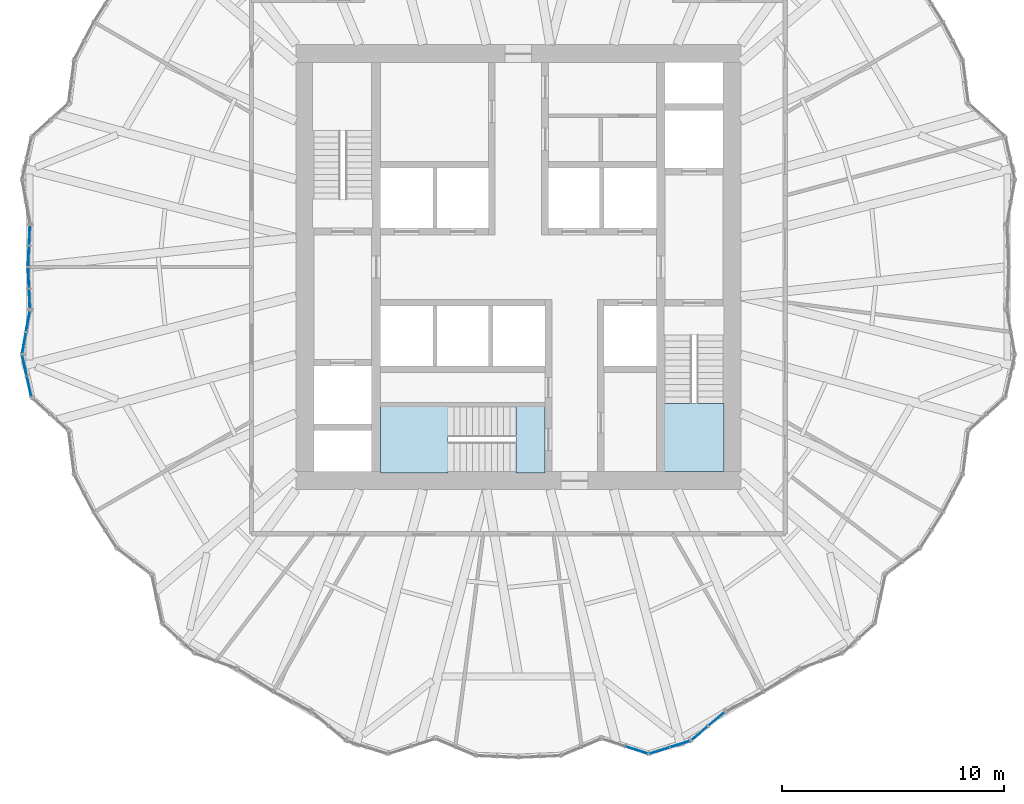
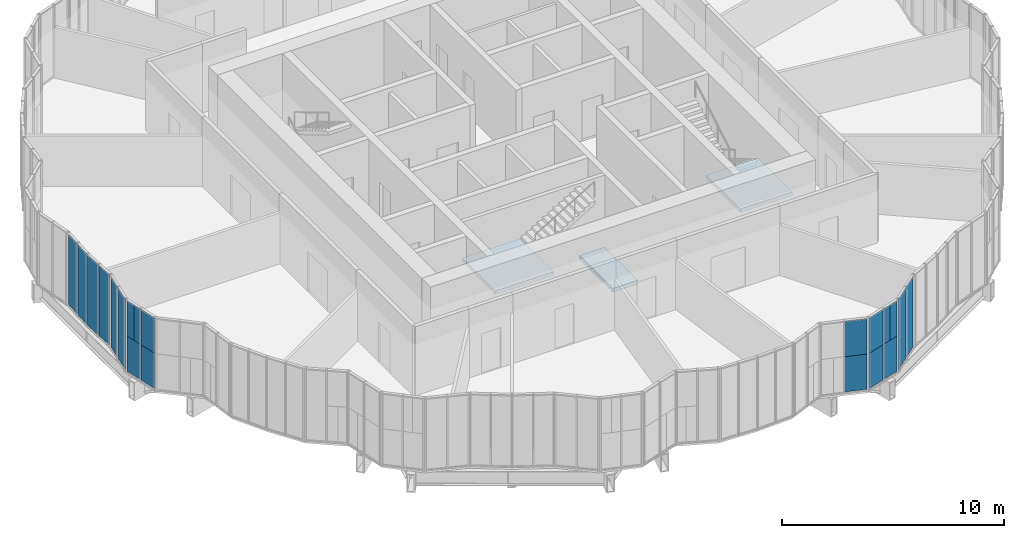
# One storey, part 14 of 23: 20 plates, 3 slabs, 9 elements without a shape of their own.
"""IFC4 building model written with IfcOpenShell, lengths in metres."""

from ifc_helpers import new_model, si_unit, direction, frame, origin, origin_2d, place, context, subcontext, project, spatial, polyline, rectangle, outline, extrude, material, layer, layer_set, type_object, element, aggregate, save


model = new_model("IFC4")

# Units and contexts
model_context = context("Model", 3, precision=1e-05, world=origin(), true_north=direction((0.0, 1.0)))
body_context = subcontext(model_context, "Body", "Model", "MODEL_VIEW")
ifc_project = project(units=[si_unit("LENGTHUNIT", "METRE"), si_unit("AREAUNIT", "SQUARE_METRE"), si_unit("VOLUMEUNIT", "CUBIC_METRE"), si_unit("PLANEANGLEUNIT", "RADIAN"), si_unit("MASSUNIT", "GRAM", prefix="KILO")], contexts=[model_context])

# Site, building, storey
site_placement = place(None, origin())
site = spatial("IfcSite", under=ifc_project, at=site_placement, CompositionType="ELEMENT")
building_placement = place(site_placement, origin())
building = spatial("IfcBuilding", under=site, at=building_placement, Name="Golbaran Civic Tower", CompositionType="ELEMENT")
storey_placement = place(building_placement, frame((0.0, 0.0, 33.0)))
storey = spatial("IfcBuildingStorey", under=building, at=storey_placement, Name="L07", CompositionType="ELEMENT", Elevation=33.0)

# Curtain wall, plates
ifc_material_1 = material(Name="Aluminium and glass", Category="aluminium")
curtain_wall_type = type_object("IfcCurtainWallType", Name="INNER SKIN CURTAIN WALL", PredefinedType="NOTDEFINED", material=ifc_material_1)
curtain_wall_1_placement = place(storey_placement, origin())
curtain_wall_1 = element("IfcCurtainWall", 1, at=curtain_wall_1_placement, inside=storey, type_object=curtain_wall_type, Name="Inner skin L07 facet 36 CW1", ObjectType="INNER SKIN", PredefinedType="USERDEFINED")
ifc_material_2 = material(Name="Clear insulating glass", Category="glass")
ifc_layer_1 = layer(ifc_material_2, 0.031982421875, Name="Clear insulating glass")
ifc_layer_set_1 = layer_set([ifc_layer_1], Name="Clear insulating glass")
plate_type_1 = type_object("IfcPlateType", Name="INNER SKIN CURTAIN WALL GLAZED PANEL", PredefinedType="CURTAIN_PANEL", material=ifc_layer_set_1)
plate_1_placement = place(storey_placement, frame((-21.98291015625, 1.4248046875, 0.06494140625), z_axis=(0.0, 0.0, 1.0), x_axis=(-0.043619387592, -0.999048221572, 0.0)))
plate_1 = element("IfcPlate", 2, at=plate_1_placement, type_object=plate_type_1, Name="CW1 panel 1.1", PredefinedType="CURTAIN_PANEL", context=body_context, shape_type="SweptSolid", body=[
    extrude(rectangle(XDim=0.864013671875, YDim=0.031982421875, at=origin_2d()), origin(), (0.0, 0.0, 1.0), 3.8701171875),
])
plate_2_placement = place(storey_placement, frame((-22.02392578125, 0.480224609375, 0.06494140625), z_axis=(0.0, 0.0, 1.0), x_axis=(-0.043619387592, -0.999048221572, 0.0)))
plate_2 = element("IfcPlate", 3, at=plate_2_placement, type_object=plate_type_1, Name="CW1 panel 2.1", PredefinedType="CURTAIN_PANEL", context=body_context, shape_type="SweptSolid", body=[
    extrude(rectangle(XDim=0.896484375, YDim=0.031982421875, at=origin_2d()), origin(), (0.0, 0.0, 1.0), 3.8701171875),
])
aggregate(curtain_wall_1, [plate_1, plate_2])

curtain_wall_2_placement = place(storey_placement, origin())
curtain_wall_2 = element("IfcCurtainWall", 4, at=curtain_wall_2_placement, inside=storey, type_object=curtain_wall_type, Name="Inner skin L07 facet 37 CW1", ObjectType="INNER SKIN", PredefinedType="USERDEFINED")
plate_3_placement = place(storey_placement, frame((-22.02392578125, -0.480224609375, 0.06494140625), z_axis=(0.0, 0.0, 1.0), x_axis=(0.043619387592, -0.999048221572, 0.0)))
plate_3 = element("IfcPlate", 5, at=plate_3_placement, type_object=plate_type_1, Name="CW1 panel 1.1", PredefinedType="CURTAIN_PANEL", context=body_context, shape_type="SweptSolid", body=[
    extrude(rectangle(XDim=0.896484375, YDim=0.031982421875, at=origin_2d()), origin(), (0.0, 0.0, 1.0), 3.8701171875),
])
plate_4_placement = place(storey_placement, frame((-21.98291015625, -1.4248046875, 0.06494140625), z_axis=(0.0, 0.0, 1.0), x_axis=(0.043619387592, -0.999048221572, 0.0)))
plate_4 = element("IfcPlate", 6, at=plate_4_placement, type_object=plate_type_1, Name="CW1 panel 2.1", PredefinedType="CURTAIN_PANEL", context=body_context, shape_type="SweptSolid", body=[
    extrude(rectangle(XDim=0.864013671875, YDim=0.031982421875, at=origin_2d()), origin(), (0.0, 0.0, 1.0), 3.8701171875),
])
aggregate(curtain_wall_2, [plate_3, plate_4])

curtain_wall_3_placement = place(storey_placement, origin())
curtain_wall_3 = element("IfcCurtainWall", 7, at=curtain_wall_3_placement, inside=storey, type_object=curtain_wall_type, Name="Inner skin L07 facet 38 CW1", ObjectType="INNER SKIN", PredefinedType="USERDEFINED")
plate_5_placement = place(storey_placement, frame((-22.053955078125, -2.44091796875, 0.06494140625), z_axis=(0.0, 0.0, 1.0), x_axis=(-0.175716534296, -0.984440805521, 0.0)))
plate_5 = element("IfcPlate", 8, at=plate_5_placement, type_object=plate_type_1, Name="CW1 panel 1.1", PredefinedType="CURTAIN_PANEL", context=body_context, shape_type="SweptSolid", body=[
    extrude(rectangle(XDim=0.925537109375, YDim=0.031982421875, at=origin_2d()), origin(), (0.0, 0.0, 1.0), 3.8701171875),
])
plate_6_placement = place(storey_placement, frame((-22.22802734375, -3.416259765625, 0.06494140625), z_axis=(0.0, 0.0, 1.0), x_axis=(-0.175716534296, -0.984440805521, 0.0)))
plate_6 = element("IfcPlate", 9, at=plate_6_placement, type_object=plate_type_1, Name="CW1 panel 2.1", PredefinedType="CURTAIN_PANEL", context=body_context, shape_type="SweptSolid", body=[
    extrude(rectangle(XDim=0.925537109375, YDim=0.031982421875, at=origin_2d()), origin(), (0.0, 0.0, 1.0), 3.8701171875),
])
aggregate(curtain_wall_3, [plate_5, plate_6])

# Curtain wall, plate
curtain_wall_4_placement = place(storey_placement, origin())
curtain_wall_4 = element("IfcCurtainWall", 10, at=curtain_wall_4_placement, inside=storey, type_object=curtain_wall_type, Name="Inner skin L07 facet 39 CW1", ObjectType="INNER SKIN", PredefinedType="USERDEFINED")
plate_7_placement = place(storey_placement, frame((-22.253662109375, -4.23828125, 2.0), z_axis=(0.0, 0.0, 1.0), x_axis=(0.216439613904, -0.976296007127, 0.0)))
plate_7 = element("IfcPlate", 11, at=plate_7_placement, type_object=plate_type_1, Name="CW1 panel 1.1 part 2", PredefinedType="CURTAIN_PANEL", context=body_context, shape_type="SweptSolid", body=[
    extrude(rectangle(XDim=0.489990234375, YDim=0.031982421875, at=origin_2d()), origin(), (0.0, 0.0, 1.0), 1.93505859375),
])

curtain_wall_5_placement = place(storey_placement, origin())
curtain_wall_5 = element("IfcCurtainWall", 12, at=curtain_wall_5_placement, inside=storey, type_object=curtain_wall_type, Name="Inner skin L07 facet 58 CW1", ObjectType="INNER SKIN", PredefinedType="USERDEFINED")
plate_8_placement = place(storey_placement, frame((7.455810546875, -21.3916015625, 2.0), z_axis=(0.0, 0.0, 1.0), x_axis=(0.953716950701, 0.300705799654, 0.0)))
plate_8 = element("IfcPlate", 13, at=plate_8_placement, type_object=plate_type_1, Name="CW1 panel 2.1 part 3", PredefinedType="CURTAIN_PANEL", context=body_context, shape_type="SweptSolid", body=[
    extrude(rectangle(XDim=0.4912109375, YDim=0.031982421875, at=origin_2d()), origin(), (0.0, 0.0, 1.0), 1.93505859375),
])

# Curtain wall, plates
curtain_wall_6_placement = place(storey_placement, origin())
curtain_wall_6 = element("IfcCurtainWall", 14, at=curtain_wall_6_placement, inside=storey, type_object=curtain_wall_type, Name="Inner skin L07 facet 59 CW1", ObjectType="INNER SKIN", PredefinedType="USERDEFINED")
plate_9_placement = place(storey_placement, frame((8.155517578125, -20.9580078125, 0.06494140625), z_axis=(0.0, 0.0, 1.0), x_axis=(0.764692479135, 0.644395385113, 0.0)))
plate_9 = element("IfcPlate", 15, at=plate_9_placement, type_object=plate_type_1, Name="CW1 panel 1.1", PredefinedType="CURTAIN_PANEL", context=body_context, shape_type="SweptSolid", body=[
    extrude(rectangle(XDim=0.925537109375, YDim=0.031982421875, at=origin_2d()), origin(), (0.0, 0.0, 1.0), 3.8701171875),
])
plate_10_placement = place(storey_placement, frame((8.9130859375, -20.319580078125, 0.06494140625), z_axis=(0.0, 0.0, 1.0), x_axis=(0.764692479135, 0.644395385113, 0.0)))
plate_10 = element("IfcPlate", 16, at=plate_10_placement, type_object=plate_type_1, Name="CW1 panel 2.1", PredefinedType="CURTAIN_PANEL", context=body_context, shape_type="SweptSolid", body=[
    extrude(rectangle(XDim=0.925537109375, YDim=0.031982421875, at=origin_2d()), origin(), (0.0, 0.0, 1.0), 3.8701171875),
])
aggregate(curtain_wall_6, [plate_9, plate_10])

# Plate
ifc_material_3 = material(Name="Aluminium faced opaque infill panel", Category="aluminium")
ifc_layer_2 = layer(ifc_material_3, 0.031982421875, Name="Aluminium faced opaque infill panel")
ifc_layer_set_2 = layer_set([ifc_layer_2], Name="Aluminium faced opaque infill panel")
plate_type_2 = type_object("IfcPlateType", Name="INNER SKIN CURTAIN WALL OPAQUE INFILL PANEL", PredefinedType="CURTAIN_PANEL", material=ifc_layer_set_2)
plate_11_placement = place(storey_placement, frame((-22.210205078125, -4.43408203125, 0.06494140625), z_axis=(0.0, 0.0, 1.0), x_axis=(0.216439613904, -0.976296007127, 0.0)))
plate_11 = element("IfcPlate", 17, at=plate_11_placement, type_object=plate_type_2, Name="CW1 infill panel 1.1 part 1", PredefinedType="CURTAIN_PANEL", context=body_context, shape_type="SweptSolid", body=[
    extrude(rectangle(XDim=0.89111328125, YDim=0.031982421875, at=origin_2d()), origin(), (0.0, 0.0, 1.0), 1.93505859375),
])

plate_12_placement = place(storey_placement, frame((-22.1572265625, -4.67333984375, 2.0), z_axis=(0.0, 0.0, 1.0), x_axis=(0.216439613904, -0.976296007127, 0.0)))
plate_12 = element("IfcPlate", 18, at=plate_12_placement, type_object=plate_type_2, Name="CW1 infill panel 1.1 part 3", PredefinedType="CURTAIN_PANEL", context=body_context, shape_type="SweptSolid", body=[
    extrude(rectangle(XDim=0.401123046875, YDim=0.031982421875, at=origin_2d()), origin(), (0.0, 0.0, 1.0), 1.93505859375),
])

plate_13_placement = place(storey_placement, frame((-22.003173828125, -5.36767578125, 0.06494140625), z_axis=(0.0, 0.0, 1.0), x_axis=(0.216439613904, -0.976296007127, 0.0)))
plate_13 = element("IfcPlate", 19, at=plate_13_placement, type_object=plate_type_2, Name="CW1 infill panel 2.1 part 1", PredefinedType="CURTAIN_PANEL", context=body_context, shape_type="SweptSolid", body=[
    extrude(rectangle(XDim=0.89111328125, YDim=0.031982421875, at=origin_2d()), origin(), (0.0, 0.0, 1.0), 1.93505859375),
])

plate_14_placement = place(storey_placement, frame((-22.003173828125, -5.36767578125, 2.0), z_axis=(0.0, 0.0, 1.0), x_axis=(0.216439613904, -0.976296007127, 0.0)))
plate_14 = element("IfcPlate", 20, at=plate_14_placement, type_object=plate_type_2, Name="CW1 infill panel 2.1 part 2", PredefinedType="CURTAIN_PANEL", context=body_context, shape_type="SweptSolid", body=[
    extrude(rectangle(XDim=0.89111328125, YDim=0.031982421875, at=origin_2d()), origin(), (0.0, 0.0, 1.0), 1.93505859375),
])

aggregate(curtain_wall_4, [plate_11, plate_7, plate_12, plate_13, plate_14])

# Curtain wall, plates
curtain_wall_7_placement = place(storey_placement, origin())
curtain_wall_7 = element("IfcCurtainWall", 21, at=curtain_wall_7_placement, inside=storey, type_object=curtain_wall_type, Name="Inner skin L07 facet 57 CW1", ObjectType="INNER SKIN", PredefinedType="USERDEFINED")
plate_15_placement = place(storey_placement, frame((5.318603515625, -21.71435546875, 0.06494140625), z_axis=(0.0, 0.0, 1.0), x_axis=(0.950760851313, -0.309925480738, 0.0)))
plate_15 = element("IfcPlate", 22, at=plate_15_placement, type_object=plate_type_2, Name="CW1 infill panel 2.1 part 1", PredefinedType="CURTAIN_PANEL", context=body_context, shape_type="SweptSolid", body=[
    extrude(rectangle(XDim=1.021728515625, YDim=0.031982421875, at=origin_2d()), origin(), (0.0, 0.0, 1.0), 1.93505859375),
])
plate_16_placement = place(storey_placement, frame((5.318603515625, -21.71435546875, 2.0), z_axis=(0.0, 0.0, 1.0), x_axis=(0.950760851313, -0.309925480738, 0.0)))
plate_16 = element("IfcPlate", 23, at=plate_16_placement, type_object=plate_type_2, Name="CW1 infill panel 2.1 part 2", PredefinedType="CURTAIN_PANEL", context=body_context, shape_type="SweptSolid", body=[
    extrude(rectangle(XDim=1.021728515625, YDim=0.031982421875, at=origin_2d()), origin(), (0.0, 0.0, 1.0), 1.93505859375),
])
aggregate(curtain_wall_7, [plate_15, plate_16])

# Plate
plate_17_placement = place(storey_placement, frame((6.35302734375, -21.7392578125, 0.06494140625), z_axis=(0.0, 0.0, 1.0), x_axis=(0.953716950701, 0.300705799654, 0.0)))
plate_17 = element("IfcPlate", 24, at=plate_17_placement, type_object=plate_type_2, Name="CW1 infill panel 1.1 part 1", PredefinedType="CURTAIN_PANEL", context=body_context, shape_type="SweptSolid", body=[
    extrude(rectangle(XDim=0.89111328125, YDim=0.031982421875, at=origin_2d()), origin(), (0.0, 0.0, 1.0), 1.93505859375),
])

plate_18_placement = place(storey_placement, frame((6.35302734375, -21.7392578125, 2.0), z_axis=(0.0, 0.0, 1.0), x_axis=(0.953716950701, 0.300705799654, 0.0)))
plate_18 = element("IfcPlate", 25, at=plate_18_placement, type_object=plate_type_2, Name="CW1 infill panel 1.1 part 2", PredefinedType="CURTAIN_PANEL", context=body_context, shape_type="SweptSolid", body=[
    extrude(rectangle(XDim=0.89111328125, YDim=0.031982421875, at=origin_2d()), origin(), (0.0, 0.0, 1.0), 1.93505859375),
])

plate_19_placement = place(storey_placement, frame((7.264892578125, -21.45166015625, 0.06494140625), z_axis=(0.0, 0.0, 1.0), x_axis=(0.953716950701, 0.300705799654, 0.0)))
plate_19 = element("IfcPlate", 26, at=plate_19_placement, type_object=plate_type_2, Name="CW1 infill panel 2.1 part 1", PredefinedType="CURTAIN_PANEL", context=body_context, shape_type="SweptSolid", body=[
    extrude(rectangle(XDim=0.89111328125, YDim=0.031982421875, at=origin_2d()), origin(), (0.0, 0.0, 1.0), 1.93505859375),
])

plate_20_placement = place(storey_placement, frame((7.03076171875, -21.525390625, 2.0), z_axis=(0.0, 0.0, 1.0), x_axis=(0.953716950701, 0.300705799654, 0.0)))
plate_20 = element("IfcPlate", 27, at=plate_20_placement, type_object=plate_type_2, Name="CW1 infill panel 2.1 part 2", PredefinedType="CURTAIN_PANEL", context=body_context, shape_type="SweptSolid", body=[
    extrude(rectangle(XDim=0.39990234375, YDim=0.031982421875, at=origin_2d()), origin(), (0.0, 0.0, 1.0), 1.93505859375),
])

aggregate(curtain_wall_5, [plate_17, plate_18, plate_19, plate_20, plate_8])

# Stair, slab
ifc_material_4 = material(Name="Concrete C35/45", Category="concrete")
stair_type_1 = type_object("IfcStairType", Name="EXIT STAIR 2600 x 7450, 4000 RISE", PredefinedType="HALF_TURN_STAIR", material=ifc_material_4)
stair_1_placement = place(storey_placement, origin())
stair_1 = element("IfcStair", 28, at=stair_1_placement, inside=storey, type_object=stair_type_1, Name="Stair S2 L07", PredefinedType="HALF_TURN_STAIR")
ifc_layer_3 = layer(ifc_material_4, 0.199951171875, Name="Concrete C35/45")
ifc_layer_set_3 = layer_set([ifc_layer_3], Name="Concrete C35/45")
slab_type = type_object("IfcSlabType", Name="STAIR LANDING 200", PredefinedType="LANDING", material=ifc_layer_set_3)
slab_1_placement = place(storey_placement, frame((0.0, 0.0, 1.800048828125)))
slab_1 = element("IfcSlab", 29, at=slab_1_placement, type_object=slab_type, Name="ST26074-40 landing 1", PredefinedType="LANDING", context=body_context, shape_type="SweptSolid", body=[
    extrude(outline(polyline([(9.25, -6.125), (9.25, -9.199951171875), (6.550048828125, -9.199951171875), (6.550048828125, -6.125), (9.25, -6.125)])), origin(), (0.0, 0.0, 1.0), 0.199951171875),
])
aggregate(stair_1, [slab_1])

stair_type_2 = type_object("IfcStairType", Name="EXIT STAIR 2900 x 7400, 4000 RISE", PredefinedType="HALF_TURN_STAIR", material=ifc_material_4)
stair_2_placement = place(storey_placement, origin())
stair_2 = element("IfcStair", 30, at=stair_2_placement, inside=storey, type_object=stair_type_2, Name="Stair S3 L07", PredefinedType="HALF_TURN_STAIR")
slab_2_placement = place(storey_placement, frame((0.0, 0.0, 1.800048828125)))
slab_2 = element("IfcSlab", 31, at=slab_2_placement, type_object=slab_type, Name="ST29074-40 landing 1", PredefinedType="LANDING", context=body_context, shape_type="SweptSolid", body=[
    extrude(outline(polyline([(-3.175048828125, -9.25), (-6.199951171875, -9.25), (-6.199951171875, -6.25), (-3.175048828125, -6.25), (-3.175048828125, -9.25)])), origin(), (0.0, 0.0, 1.0), 0.199951171875),
])
aggregate(stair_2, [slab_2])

# Slab
slab_3_placement = place(storey_placement, frame((0.0, 0.0, -0.199951171875)))
element("IfcSlab", 32, at=slab_3_placement, inside=storey, type_object=slab_type, Name="Stair S3 floor landing L07", PredefinedType="LANDING", context=body_context, shape_type="SweptSolid", body=[
    extrude(outline(polyline([(1.199951171875, -9.25), (-0.10498046875, -9.25), (-0.10498046875, -6.25), (1.199951171875, -6.25), (1.199951171875, -9.25)])), origin(), (0.0, 0.0, 1.0), 0.199951171875),
])

save(model, "model.ifc")
